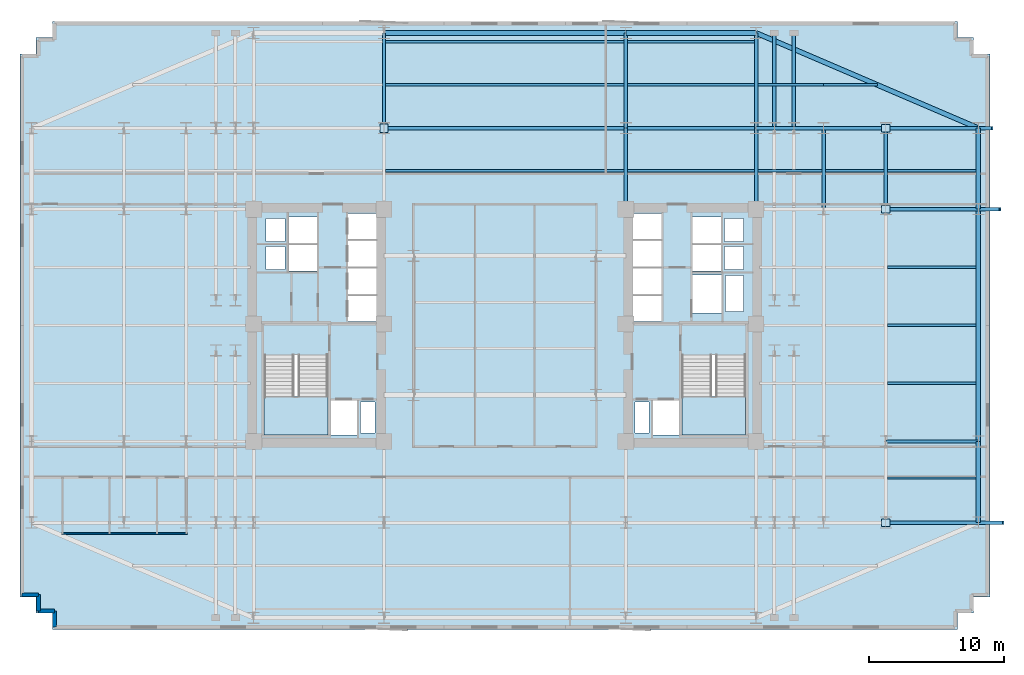
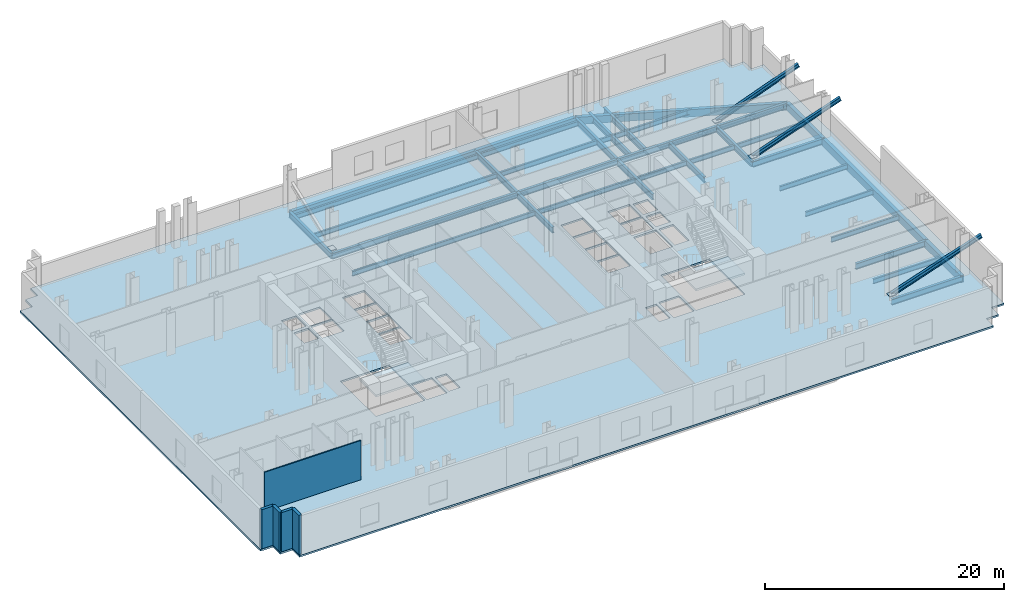
# One storey, part 3 of 9: 38 beams, 5 walls, 4 plates, 3 members, 3 slabs, 2 elements without a shape of their own.
"""IFC4 building model written with IfcOpenShell, lengths in metres."""

from ifc_helpers import new_model, si_unit, direction, frame, frame_2d, origin, origin_2d, place, context, subcontext, project, spatial, polyline, rectangle, i_section, outline, extrude, material, layer, layer_set, material_profile, profile_set, type_object, element, aggregate, save


model = new_model("IFC4")

# Units and contexts
model_context = context("Model", 3, precision=1e-05, world=origin(), true_north=direction((0.0, 1.0)))
body_context = subcontext(model_context, "Body", "Model", "MODEL_VIEW")
ifc_project = project(units=[si_unit("LENGTHUNIT", "METRE"), si_unit("AREAUNIT", "SQUARE_METRE"), si_unit("VOLUMEUNIT", "CUBIC_METRE"), si_unit("PLANEANGLEUNIT", "RADIAN"), si_unit("MASSUNIT", "GRAM", prefix="KILO")], contexts=[model_context])

# Site, building, storey
site_placement = place(None, origin())
site = spatial("IfcSite", under=ifc_project, at=site_placement, CompositionType="ELEMENT")
building_placement = place(site_placement, origin())
building = spatial("IfcBuilding", under=site, at=building_placement, Name="Velakula Bourse", CompositionType="ELEMENT")
storey_placement = place(building_placement, frame((0.0, 0.0, 65.699951171875)))
storey = spatial("IfcBuildingStorey", under=building, at=storey_placement, Name="L17", CompositionType="ELEMENT", Elevation=65.699951171875)

# Beams
ifc_material_1 = material(Name="Steel IS 2062 Grade 350 (E350)", Category="steel")
ifc_material_profile_1 = material_profile(ifc_material_1, i_section(OverallWidth=0.25, OverallDepth=0.60009765625, WebThickness=0.01171875, FlangeThickness=0.023681640625, at=origin_2d()), Name="Steel IS 2062 Grade 350 (E350)")
ifc_profile_set_1 = profile_set([ifc_material_profile_1], Name="Steel IS 2062 Grade 350 (E350)")
beam_type_1 = type_object("IfcBeamType", Name="BM-GRD-600H", PredefinedType="BEAM", material=ifc_profile_set_1)
for number, where, z_axis, x_axis, name in (
    (1, (8.949951171875, 8.60009765625, -0.47998046875), (0.0, 1.0, 0.0), (-1.0, 0.0, 0.0), "L17 Fulcrum Grid Girder FLC-ECN"),
    (2, (18.60009765625, 8.60009765625, -0.47998046875), (0.0, 1.0, 0.0), (-1.0, 0.0, 0.0), "L17 Fulcrum Grid Girder FLC-EN"),
):
    element("IfcBeam", number, at=place(storey_placement, frame(where, z_axis=z_axis, x_axis=x_axis)), inside=storey, type_object=beam_type_1, Name=name, PredefinedType="BEAM", context=body_context, shape_type="SweptSolid", body=[
        extrude(i_section(OverallWidth=0.25, OverallDepth=0.60009765625, WebThickness=0.01171875, FlangeThickness=0.023681640625, at=origin_2d()), origin(), (0.0, 0.0, 1.0), 6.0),
    ])
beam_1_placement = place(storey_placement, frame((-8.949951171875, 14.60009765625, -0.47998046875), z_axis=(1.0, 0.0, 0.0), x_axis=(0.0, 1.0, 0.0)))
element("IfcBeam", 3, at=beam_1_placement, inside=storey, type_object=beam_type_1, Name="L17 Fulcrum Grid Girder FLC-N2", PredefinedType="BEAM", context=body_context, shape_type="SweptSolid", body=[
    extrude(i_section(OverallWidth=0.25, OverallDepth=0.60009765625, WebThickness=0.01171875, FlangeThickness=0.023681640625, at=origin_2d()), origin(), (0.0, 0.0, 1.0), 17.89990234375),
])
beam_2_placement = place(storey_placement, frame((8.949951171875, 14.60009765625, -0.47998046875), z_axis=(1.0, 0.0, 0.0), x_axis=(0.0, 1.0, 0.0)))
element("IfcBeam", 4, at=beam_2_placement, inside=storey, type_object=beam_type_1, Name="L17 Fulcrum Grid Girder FLC-N3", PredefinedType="BEAM", context=body_context, shape_type="SweptSolid", body=[
    extrude(i_section(OverallWidth=0.25, OverallDepth=0.60009765625, WebThickness=0.01171875, FlangeThickness=0.023681640625, at=origin_2d()), origin(), (0.0, 0.0, 1.0), 9.650146484375),
])
beam_3_placement = place(storey_placement, frame((18.60009765625, 14.60009765625, -0.47998046875), z_axis=(1.0, 0.0, 0.0), x_axis=(0.0, 1.0, 0.0)))
element("IfcBeam", 5, at=beam_3_placement, inside=storey, type_object=beam_type_1, Name="L17 Fulcrum Grid Girder MWG-EN2", PredefinedType="BEAM", context=body_context, shape_type="SweptSolid", body=[
    extrude(i_section(OverallWidth=0.25, OverallDepth=0.60009765625, WebThickness=0.01171875, FlangeThickness=0.023681640625, at=origin_2d()), origin(), (0.0, 0.0, 1.0), 5.0),
])
beam_4_placement = place(storey_placement, frame((23.60009765625, 8.60009765625, -0.47998046875), z_axis=(0.0, 1.0, 0.0), x_axis=(-1.0, 0.0, 0.0)))
element("IfcBeam", 6, at=beam_4_placement, inside=storey, type_object=beam_type_1, Name="L17 Fulcrum Grid Girder MWG-ENS3", PredefinedType="BEAM", context=body_context, shape_type="SweptSolid", body=[
    extrude(i_section(OverallWidth=0.25, OverallDepth=0.60009765625, WebThickness=0.01171875, FlangeThickness=0.023681640625, at=origin_2d()), origin(), (0.0, 0.0, 1.0), 6.0),
])
beam_5_placement = place(storey_placement, frame((23.60009765625, 14.60009765625, -0.47998046875), z_axis=(1.0, 0.0, 0.0), x_axis=(0.0, 1.0, 0.0)))
element("IfcBeam", 7, at=beam_5_placement, inside=storey, type_object=beam_type_1, Name="L17 Fulcrum Grid Girder WNG-EN2", PredefinedType="BEAM", context=body_context, shape_type="SweptSolid", body=[
    extrude(i_section(OverallWidth=0.25, OverallDepth=0.60009765625, WebThickness=0.01171875, FlangeThickness=0.023681640625, at=origin_2d()), origin(), (0.0, 0.0, 1.0), 4.599853515625),
])
beam_6_placement = place(storey_placement, frame((28.199951171875, 8.60009765625, -0.47998046875), z_axis=(0.0, 1.0, 0.0), x_axis=(-1.0, 0.0, 0.0)))
element("IfcBeam", 8, at=beam_6_placement, inside=storey, type_object=beam_type_1, Name="L17 Fulcrum Grid Girder WNG-ENS3", PredefinedType="BEAM", context=body_context, shape_type="SweptSolid", body=[
    extrude(i_section(OverallWidth=0.25, OverallDepth=0.60009765625, WebThickness=0.01171875, FlangeThickness=0.023681640625, at=origin_2d()), origin(), (0.0, 0.0, 1.0), 6.0),
])
for number, where, z_axis, x_axis, name in (
    (9, (-8.949951171875, 14.60009765625, -0.47998046875), (0.0, 1.0, 0.0), (-1.0, 0.0, 0.0), "L17 Perimeter Tie Girder N2"),
    (10, (8.949951171875, 14.60009765625, -0.47998046875), (0.0, 1.0, 0.0), (-1.0, 0.0, 0.0), "L17 Perimeter Tie Girder N3"),
    (11, (18.60009765625, 14.60009765625, -0.47998046875), (0.0, 1.0, 0.0), (-1.0, 0.0, 0.0), "L17 Perimeter Tie Girder N4"),
):
    element("IfcBeam", number, at=place(storey_placement, frame(where, z_axis=z_axis, x_axis=x_axis)), inside=storey, type_object=beam_type_1, Name=name, PredefinedType="BEAM", context=body_context, shape_type="SweptSolid", body=[
        extrude(i_section(OverallWidth=0.25, OverallDepth=0.60009765625, WebThickness=0.01171875, FlangeThickness=0.023681640625, at=origin_2d()), origin(), (0.0, 0.0, 1.0), 7.0498046875),
    ])
for number, where, z_axis, x_axis, name in (
    (12, (28.199951171875, -14.60009765625, -0.47998046875), (1.0, 0.0, 0.0), (0.0, 1.0, 0.0), "L17 Perimeter Tie Girder E1"),
    (13, (28.199951171875, -8.60009765625, -0.47998046875), (1.0, 0.0, 0.0), (0.0, 1.0, 0.0), "L17 Perimeter Tie Girder E2"),
    (14, (28.199951171875, 8.60009765625, -0.47998046875), (1.0, 0.0, 0.0), (0.0, 1.0, 0.0), "L17 Perimeter Tie Girder E3"),
    (15, (28.199951171875, 14.60009765625, -0.47998046875), (1.0, 0.0, 0.0), (0.0, 1.0, 0.0), "L17 Perimeter Tie Girder E4"),
):
    element("IfcBeam", number, at=place(storey_placement, frame(where, z_axis=z_axis, x_axis=x_axis)), inside=storey, type_object=beam_type_1, Name=name, PredefinedType="BEAM", context=body_context, shape_type="SweptSolid", body=[
        extrude(i_section(OverallWidth=0.25, OverallDepth=0.60009765625, WebThickness=0.01171875, FlangeThickness=0.023681640625, at=origin_2d()), origin(), (0.0, 0.0, 1.0), 6.85009765625),
    ])
for number, where, z_axis, x_axis, name in (
    (16, (19.949951171875, 14.60009765625, -0.47998046875), (0.0, 1.0, 0.0), (-1.0, 0.0, 0.0), "L17 Perimeter Tie Girder P07"),
    (17, (21.39990234375, 14.60009765625, -0.47998046875), (0.0, 1.0, 0.0), (-1.0, 0.0, 0.0), "L17 Perimeter Tie Girder P08"),
):
    element("IfcBeam", number, at=place(storey_placement, frame(where, z_axis=z_axis, x_axis=x_axis)), inside=storey, type_object=beam_type_1, Name=name, PredefinedType="BEAM", context=body_context, shape_type="SweptSolid", body=[
        extrude(i_section(OverallWidth=0.25, OverallDepth=0.60009765625, WebThickness=0.01171875, FlangeThickness=0.023681640625, at=origin_2d()), origin(), (0.0, 0.0, 1.0), 7.0498046875),
    ])

# Members
ifc_material_profile_2 = material_profile(ifc_material_1, i_section(OverallWidth=0.25, OverallDepth=0.39990234375, WebThickness=0.010498046875, FlangeThickness=0.0126953125, at=origin_2d()), Name="Steel IS 2062 Grade 350 (E350)")
ifc_profile_set_2 = profile_set([ifc_material_profile_2], Name="Steel IS 2062 Grade 350 (E350)")
member_type = type_object("IfcMemberType", Name="BR-TRF-400", PredefinedType="BRACE", material=ifc_profile_set_2)
member_1_placement = place(storey_placement, frame((28.199951171875, -14.60009765625, 0.300048828125), z_axis=(0.946241319757, 0.0, 0.323461535247), x_axis=(0.0, 1.0, 0.0)))
element("IfcMember", 18, at=member_1_placement, inside=storey, type_object=member_type, Name="L17 Inclined Cantilever Transfer Raking Strut E1", PredefinedType="BRACE", context=body_context, shape_type="SweptSolid", body=[
    extrude(i_section(OverallWidth=0.25, OverallDepth=0.39990234375, WebThickness=0.010498046875, FlangeThickness=0.0126953125, at=origin_2d()), origin(), (0.0, 0.0, 1.0), 9.181884765625),
])
member_2_placement = place(storey_placement, frame((28.199951171875, 8.60009765625, 0.300048828125), z_axis=(0.943590284744, 0.0, 0.331115349292), x_axis=(0.0, 1.0, 0.0)))
element("IfcMember", 19, at=member_2_placement, inside=storey, type_object=member_type, Name="L17 Inclined Cantilever Transfer Raking Strut E3", PredefinedType="BRACE", context=body_context, shape_type="SweptSolid", body=[
    extrude(i_section(OverallWidth=0.25, OverallDepth=0.39990234375, WebThickness=0.010498046875, FlangeThickness=0.0126953125, at=origin_2d()), origin(), (0.0, 0.0, 1.0), 8.969482421875),
])
member_3_placement = place(storey_placement, frame((28.199951171875, 14.60009765625, 0.300048828125), z_axis=(0.935831744919, 0.0, 0.35244708142), x_axis=(0.0, 1.0, 0.0)))
element("IfcMember", 20, at=member_3_placement, inside=storey, type_object=member_type, Name="L17 Inclined Cantilever Transfer Raking Strut E4", PredefinedType="BRACE", context=body_context, shape_type="SweptSolid", body=[
    extrude(i_section(OverallWidth=0.25, OverallDepth=0.39990234375, WebThickness=0.010498046875, FlangeThickness=0.0126953125, at=origin_2d()), origin(), (0.0, 0.0, 1.0), 8.4267578125),
])

# Beams
ifc_material_profile_3 = material_profile(ifc_material_1, i_section(OverallWidth=0.179931640625, OverallDepth=0.5, WebThickness=0.01025390625, FlangeThickness=0.01708984375, at=origin_2d()), Name="Steel IS 2062 Grade 350 (E350)")
ifc_profile_set_3 = profile_set([ifc_material_profile_3], Name="Steel IS 2062 Grade 350 (E350)")
beam_type_2 = type_object("IfcBeamType", Name="JST-TWR-500", PredefinedType="JOIST", material=ifc_profile_set_3)
beam_7_placement = place(storey_placement, frame((28.324951171875, -11.300048828125, -0.429931640625), z_axis=(1.0, 0.0, 0.0), x_axis=(0.0, 1.0, 0.0)))
element("IfcBeam", 21, at=beam_7_placement, inside=storey, type_object=beam_type_2, Name="L17 Trading Floor Composite Joist 19", PredefinedType="JOIST", context=body_context, shape_type="SweptSolid", body=[
    extrude(i_section(OverallWidth=0.179931640625, OverallDepth=0.5, WebThickness=0.01025390625, FlangeThickness=0.01708984375, at=origin_2d()), origin(), (0.0, 0.0, 1.0), 6.550048828125),
])
beam_8_placement = place(storey_placement, frame((-8.824951171875, 11.449951171875, -0.429931640625), z_axis=(1.0, 0.0, 0.0), x_axis=(0.0, 1.0, 0.0)))
element("IfcBeam", 22, at=beam_8_placement, inside=storey, type_object=beam_type_2, Name="L17 Trading Floor Composite Joist 24", PredefinedType="JOIST", context=body_context, shape_type="SweptSolid", body=[
    extrude(i_section(OverallWidth=0.179931640625, OverallDepth=0.5, WebThickness=0.01025390625, FlangeThickness=0.01708984375, at=origin_2d()), origin(), (0.0, 0.0, 1.0), 17.64990234375),
])
beam_9_placement = place(storey_placement, frame((9.074951171875, 11.449951171875, -0.429931640625), z_axis=(1.0, 0.0, 0.0), x_axis=(0.0, 1.0, 0.0)))
element("IfcBeam", 23, at=beam_9_placement, inside=storey, type_object=beam_type_2, Name="L17 Trading Floor Composite Joist 25", PredefinedType="JOIST", context=body_context, shape_type="SweptSolid", body=[
    extrude(i_section(OverallWidth=0.179931640625, OverallDepth=0.5, WebThickness=0.01025390625, FlangeThickness=0.01708984375, at=origin_2d()), origin(), (0.0, 0.0, 1.0), 9.400146484375),
])
beam_10_placement = place(storey_placement, frame((18.72509765625, 11.449951171875, -0.429931640625), z_axis=(1.0, 0.0, 0.0), x_axis=(0.0, 1.0, 0.0)))
element("IfcBeam", 24, at=beam_10_placement, inside=storey, type_object=beam_type_2, Name="L17 Trading Floor Composite Joist 26", PredefinedType="JOIST", context=body_context, shape_type="SweptSolid", body=[
    extrude(i_section(OverallWidth=0.179931640625, OverallDepth=0.5, WebThickness=0.01025390625, FlangeThickness=0.01708984375, at=origin_2d()), origin(), (0.0, 0.0, 1.0), 4.75),
])
beam_11_placement = place(storey_placement, frame((23.72509765625, 11.449951171875, -0.429931640625), z_axis=(1.0, 0.0, 0.0), x_axis=(0.0, 1.0, 0.0)))
element("IfcBeam", 25, at=beam_11_placement, inside=storey, type_object=beam_type_2, Name="L17 Trading Floor Composite Joist 27", PredefinedType="JOIST", context=body_context, shape_type="SweptSolid", body=[
    extrude(i_section(OverallWidth=0.179931640625, OverallDepth=0.5, WebThickness=0.01025390625, FlangeThickness=0.01708984375, at=origin_2d()), origin(), (0.0, 0.0, 1.0), 4.349853515625),
])
beam_12_placement = place(storey_placement, frame((28.324951171875, 11.449951171875, -0.429931640625), z_axis=(1.0, 0.0, 0.0), x_axis=(0.0, 1.0, 0.0)))
element("IfcBeam", 26, at=beam_12_placement, inside=storey, type_object=beam_type_2, Name="L17 Trading Floor Composite Joist 28", PredefinedType="JOIST", context=body_context, shape_type="SweptSolid", body=[
    extrude(i_section(OverallWidth=0.179931640625, OverallDepth=0.5, WebThickness=0.01025390625, FlangeThickness=0.01708984375, at=origin_2d()), origin(), (0.0, 0.0, 1.0), 6.550048828125),
])
beam_13_placement = place(storey_placement, frame((-8.824951171875, 17.800048828125, -0.429931640625), z_axis=(1.0, 0.0, 0.0), x_axis=(0.0, 1.0, 0.0)))
element("IfcBeam", 27, at=beam_13_placement, inside=storey, type_object=beam_type_2, Name="L17 Trading Floor Composite Joist 32", PredefinedType="JOIST", context=body_context, shape_type="SweptSolid", body=[
    extrude(i_section(OverallWidth=0.179931640625, OverallDepth=0.5, WebThickness=0.01025390625, FlangeThickness=0.01708984375, at=origin_2d()), origin(), (0.0, 0.0, 1.0), 17.64990234375),
])
beam_14_placement = place(storey_placement, frame((9.074951171875, 17.800048828125, -0.429931640625), z_axis=(1.0, 0.0, 0.0), x_axis=(0.0, 1.0, 0.0)))
element("IfcBeam", 28, at=beam_14_placement, inside=storey, type_object=beam_type_2, Name="L17 Trading Floor Composite Joist 33", PredefinedType="JOIST", context=body_context, shape_type="SweptSolid", body=[
    extrude(i_section(OverallWidth=0.179931640625, OverallDepth=0.5, WebThickness=0.01025390625, FlangeThickness=0.01708984375, at=origin_2d()), origin(), (0.0, 0.0, 1.0), 9.400146484375),
])
beam_15_placement = place(storey_placement, frame((18.72509765625, 17.800048828125, -0.429931640625), z_axis=(1.0, 0.0, 0.0), x_axis=(0.0, 1.0, 0.0)))
element("IfcBeam", 29, at=beam_15_placement, inside=storey, type_object=beam_type_2, Name="L17 Trading Floor Composite Joist 34", PredefinedType="JOIST", context=body_context, shape_type="SweptSolid", body=[
    extrude(i_section(OverallWidth=0.179931640625, OverallDepth=0.5, WebThickness=0.01025390625, FlangeThickness=0.01708984375, at=origin_2d()), origin(), (0.0, 0.0, 1.0), 4.875),
])
beam_16_placement = place(storey_placement, frame((23.60009765625, 17.800048828125, -0.429931640625), z_axis=(1.0, 0.0, 0.0), x_axis=(0.0, 1.0, 0.0)))
element("IfcBeam", 30, at=beam_16_placement, inside=storey, type_object=beam_type_2, Name="L17 Trading Floor Composite Joist 35", PredefinedType="JOIST", context=body_context, shape_type="SweptSolid", body=[
    extrude(i_section(OverallWidth=0.179931640625, OverallDepth=0.5, WebThickness=0.01025390625, FlangeThickness=0.01708984375, at=origin_2d()), origin(), (0.0, 0.0, 1.0), 3.983154296875),
])
beam_17_placement = place(storey_placement, frame((-8.824951171875, 21.0, -0.429931640625), z_axis=(1.0, 0.0, 0.0), x_axis=(0.0, 1.0, 0.0)))
element("IfcBeam", 31, at=beam_17_placement, inside=storey, type_object=beam_type_2, Name="L17 Trading Floor Composite Joist 37", PredefinedType="JOIST", context=body_context, shape_type="SweptSolid", body=[
    extrude(i_section(OverallWidth=0.179931640625, OverallDepth=0.5, WebThickness=0.01025390625, FlangeThickness=0.01708984375, at=origin_2d()), origin(), (0.0, 0.0, 1.0), 17.64990234375),
])
beam_18_placement = place(storey_placement, frame((9.074951171875, 21.0, -0.429931640625), z_axis=(1.0, 0.0, 0.0), x_axis=(0.0, 1.0, 0.0)))
element("IfcBeam", 32, at=beam_18_placement, inside=storey, type_object=beam_type_2, Name="L17 Trading Floor Composite Joist 38", PredefinedType="JOIST", context=body_context, shape_type="SweptSolid", body=[
    extrude(i_section(OverallWidth=0.179931640625, OverallDepth=0.5, WebThickness=0.01025390625, FlangeThickness=0.01708984375, at=origin_2d()), origin(), (0.0, 0.0, 1.0), 9.400146484375),
])
for number, where, z_axis, x_axis, name in (
    (33, (28.324951171875, -4.300048828125, -0.429931640625), (1.0, 0.0, 0.0), (0.0, 1.0, 0.0), "L17 Trading Floor Composite Joist 46"),
    (34, (28.324951171875, 0.0, -0.429931640625), (1.0, 0.0, 0.0), (0.0, 1.0, 0.0), "L17 Trading Floor Composite Joist 52"),
    (35, (28.324951171875, 4.300048828125, -0.429931640625), (1.0, 0.0, 0.0), (0.0, 1.0, 0.0), "L17 Trading Floor Composite Joist 58"),
):
    element("IfcBeam", number, at=place(storey_placement, frame(where, z_axis=z_axis, x_axis=x_axis)), inside=storey, type_object=beam_type_2, Name=name, PredefinedType="JOIST", context=body_context, shape_type="SweptSolid", body=[
        extrude(i_section(OverallWidth=0.179931640625, OverallDepth=0.5, WebThickness=0.01025390625, FlangeThickness=0.01708984375, at=origin_2d()), origin(), (0.0, 0.0, 1.0), 6.550048828125),
    ])
ifc_material_2 = material(Name="Precast concrete M45 (fck 45 MPa)", Category="concrete")
ifc_material_profile_4 = material_profile(ifc_material_2, rectangle(XDim=0.35009765625, YDim=0.75, at=origin_2d()), Name="Precast concrete M45 (fck 45 MPa)")
ifc_profile_set_4 = profile_set([ifc_material_profile_4], Name="Precast concrete M45 (fck 45 MPa)")
beam_type_3 = type_object("IfcBeamType", Name="SPN-BRICK-750", PredefinedType="SPANDREL", material=ifc_profile_set_4)
beam_19_placement = place(storey_placement, frame((-8.949951171875, 21.64990234375, -0.554931640625), z_axis=(1.0, 0.0, 0.0), x_axis=(0.0, 1.0, 0.0)))
element("IfcBeam", 36, at=beam_19_placement, inside=storey, type_object=beam_type_3, Name="L17 Brick-Faced Precast Spandrel N2-N3", PredefinedType="SPANDREL", context=body_context, shape_type="SweptSolid", body=[
    extrude(rectangle(XDim=0.35009765625, YDim=0.75, at=origin_2d()), origin(), (0.0, 0.0, 1.0), 17.89990234375),
])
beam_20_placement = place(storey_placement, frame((8.949951171875, 21.64990234375, -0.554931640625), z_axis=(1.0, 0.0, 0.0), x_axis=(0.0, 1.0, 0.0)))
element("IfcBeam", 37, at=beam_20_placement, inside=storey, type_object=beam_type_3, Name="L17 Brick-Faced Precast Spandrel N3-N4", PredefinedType="SPANDREL", context=body_context, shape_type="SweptSolid", body=[
    extrude(rectangle(XDim=0.35009765625, YDim=0.75, at=origin_2d()), origin(), (0.0, 0.0, 1.0), 9.650146484375),
])
beam_21_placement = place(storey_placement, frame((35.050048828125, -14.60009765625, -0.554931640625), z_axis=(0.0, 1.0, 0.0), x_axis=(-1.0, 0.0, 0.0)))
element("IfcBeam", 38, at=beam_21_placement, inside=storey, type_object=beam_type_3, Name="L17 Brick-Faced Precast Spandrel E1-E2", PredefinedType="SPANDREL", context=body_context, shape_type="SweptSolid", body=[
    extrude(rectangle(XDim=0.35009765625, YDim=0.75, at=origin_2d()), origin(), (0.0, 0.0, 1.0), 6.0),
])
beam_22_placement = place(storey_placement, frame((35.050048828125, -8.60009765625, -0.554931640625), z_axis=(0.0, 1.0, 0.0), x_axis=(-1.0, 0.0, 0.0)))
element("IfcBeam", 39, at=beam_22_placement, inside=storey, type_object=beam_type_3, Name="L17 Brick-Faced Precast Spandrel E2-E3", PredefinedType="SPANDREL", context=body_context, shape_type="SweptSolid", body=[
    extrude(rectangle(XDim=0.35009765625, YDim=0.75, at=origin_2d()), origin(), (0.0, 0.0, 1.0), 17.2001953125),
])
beam_23_placement = place(storey_placement, frame((35.050048828125, 8.60009765625, -0.554931640625), z_axis=(0.0, 1.0, 0.0), x_axis=(-1.0, 0.0, 0.0)))
element("IfcBeam", 40, at=beam_23_placement, inside=storey, type_object=beam_type_3, Name="L17 Brick-Faced Precast Spandrel E3-E4", PredefinedType="SPANDREL", context=body_context, shape_type="SweptSolid", body=[
    extrude(rectangle(XDim=0.35009765625, YDim=0.75, at=origin_2d()), origin(), (0.0, 0.0, 1.0), 6.0),
])
beam_24_placement = place(storey_placement, frame((35.050048828125, 14.60009765625, -0.554931640625), z_axis=(-0.919148557947, 0.393911066642, 0.0), x_axis=(-0.393911066642, -0.919148557947, 0.0)))
element("IfcBeam", 41, at=beam_24_placement, inside=storey, type_object=beam_type_3, Name="L17 Brick-Faced Precast Spandrel E4-N4", PredefinedType="SPANDREL", context=body_context, shape_type="SweptSolid", body=[
    extrude(rectangle(XDim=0.35009765625, YDim=0.75, at=origin_2d()), origin(), (0.0, 0.0, 1.0), 17.89697265625),
])

# Plates
ifc_layer_1 = layer(ifc_material_1, 0.0400390625, Name="Steel IS 2062 Grade 350 (E350)", Category="steel")
ifc_layer_set_1 = layer_set([ifc_layer_1], Name="Steel IS 2062 Grade 350 (E350)")
plate_type = type_object("IfcPlateType", Name="PLT-NODE-TRF", PredefinedType="USERDEFINED", material=ifc_layer_set_1)
for number, where, z_axis, x_axis, name in (
    (42, (-8.949951171875, 14.60009765625, 0.280029296875), (0.0, 0.0, 1.0), (0.0, 1.0, 0.0), "L17 Transfer Raking Strut Foot Gusset N2"),
    (43, (28.199951171875, -14.60009765625, 0.280029296875), (0.0, 0.0, 1.0), (1.0, 0.0, 0.0), "L17 Transfer Raking Strut Foot Gusset E1"),
    (44, (28.199951171875, 8.60009765625, 0.280029296875), (0.0, 0.0, 1.0), (1.0, 0.0, 0.0), "L17 Transfer Raking Strut Foot Gusset E3"),
    (45, (28.199951171875, 14.60009765625, 0.280029296875), (0.0, 0.0, 1.0), (1.0, 0.0, 0.0), "L17 Transfer Raking Strut Foot Gusset E4"),
):
    element("IfcPlate", number, at=place(storey_placement, frame(where, z_axis=z_axis, x_axis=x_axis)), inside=storey, type_object=plate_type, Name=name, ObjectType="GUSSET PLATE", PredefinedType="USERDEFINED", context=body_context, shape_type="SweptSolid", body=[
        extrude(rectangle(XDim=0.639892578125, YDim=0.56005859375, at=origin_2d()), origin(), (0.0, 0.0, 1.0), 0.0400390625),
    ])

# Stair, slab
ifc_material_3 = material(Name="Concrete M45 (fck 45 MPa)", Category="concrete")
stair_type = type_object("IfcStairType", Name="STR-DOG-435", PredefinedType="HALF_TURN_STAIR", material=ifc_material_3)
stair_1_placement = place(storey_placement, origin())
stair_1 = element("IfcStair", 46, at=stair_1_placement, inside=storey, type_object=stair_type, Name="L17 West Core Exit Stair ST-W1", PredefinedType="HALF_TURN_STAIR")
ifc_layer_2 = layer(ifc_material_3, 0.199951171875, Name="Concrete M45 (fck 45 MPa)", Category="concrete")
ifc_layer_set_2 = layer_set([ifc_layer_2], Name="Concrete M45 (fck 45 MPa)")
slab_type_1 = type_object("IfcSlabType", Name="SLB-STAIR-LND-200", PredefinedType="LANDING", material=ifc_layer_set_2)
slab_1_placement = place(storey_placement, frame((0.0, 0.0, 1.949951171875)))
slab_1 = element("IfcSlab", 47, at=slab_1_placement, type_object=slab_type_1, Name="ST-W1 landing 1", PredefinedType="LANDING", context=body_context, shape_type="SweptSolid", body=[
    extrude(outline(polyline([(-17.820068359375, -5.280029296875), (-17.820068359375, -8.10009765625), (-13.10009765625, -8.10009765625), (-13.10009765625, -5.280029296875), (-17.820068359375, -5.280029296875)])), origin(), (0.0, 0.0, 1.0), 0.2001953125),
])
aggregate(stair_1, [slab_1])

stair_2_placement = place(storey_placement, origin())
stair_2 = element("IfcStair", 48, at=stair_2_placement, inside=storey, type_object=stair_type, Name="L17 East Core Exit Stair ST-E1", PredefinedType="HALF_TURN_STAIR")
slab_2_placement = place(storey_placement, frame((0.0, 0.0, 1.949951171875)))
slab_2 = element("IfcSlab", 49, at=slab_2_placement, type_object=slab_type_1, Name="ST-E1 landing 1", PredefinedType="LANDING", context=body_context, shape_type="SweptSolid", body=[
    extrude(outline(polyline([(13.10009765625, -5.280029296875), (13.10009765625, -8.10009765625), (17.820068359375, -8.10009765625), (17.820068359375, -5.280029296875), (13.10009765625, -5.280029296875)])), origin(), (0.0, 0.0, 1.0), 0.2001953125),
])
aggregate(stair_2, [slab_2])

# Slab
ifc_material_4 = material(Name="Concrete M50 (fck 50 MPa)", Category="concrete")
ifc_layer_3 = layer(ifc_material_4, 0.179931640625, Name="Concrete M50 (fck 50 MPa)", Category="concrete")
ifc_layer_set_3 = layer_set([ifc_layer_3], Name="Concrete M50 (fck 50 MPa)")
slab_type_2 = type_object("IfcSlabType", Name="SLB-TWR-180", PredefinedType="FLOOR", material=ifc_layer_set_3)
slab_3_placement = place(storey_placement, frame((0.0, 0.0, -0.179931640625)))
element("IfcSlab", 50, at=slab_3_placement, inside=storey, type_object=slab_type_2, Name="L17 Suspended Structural Floor Slab", PredefinedType="FLOOR", context=body_context, shape_type="SweptSolid", body=[
    extrude(outline(polyline([(-33.5, -22.5), (33.5, -22.5), (33.5, -21.300048828125), (34.699951171875, -21.300048828125), (34.699951171875, -20.10009765625), (35.89990234375, -20.10009765625), (35.89990234375, 20.10009765625), (34.699951171875, 20.10009765625), (34.699951171875, 21.300048828125), (33.5, 21.300048828125), (33.5, 22.5), (-33.5, 22.5), (-33.5, 21.300048828125), (-34.699951171875, 21.300048828125), (-34.699951171875, 20.10009765625), (-35.89990234375, 20.10009765625), (-35.89990234375, -20.10009765625), (-34.699951171875, -20.10009765625), (-34.699951171875, -21.300048828125), (-33.5, -21.300048828125), (-33.5, -22.5)]), holes=[polyline([(-17.820068359375, -8.10009765625), (-13.10009765625, -8.10009765625), (-13.10009765625, -2.199951171875), (-17.820068359375, -2.199951171875), (-17.820068359375, -8.10009765625)]), polyline([(13.10009765625, -8.10009765625), (17.820068359375, -8.10009765625), (17.820068359375, -2.199951171875), (13.10009765625, -2.199951171875), (13.10009765625, -8.10009765625)]), polyline([(-12.89990234375, -8.10009765625), (-10.949951171875, -8.10009765625), (-10.949951171875, -5.550048828125), (-12.89990234375, -5.550048828125), (-12.89990234375, -8.10009765625)]), polyline([(10.949951171875, -8.10009765625), (12.89990234375, -8.10009765625), (12.89990234375, -5.550048828125), (10.949951171875, -5.550048828125), (10.949951171875, -8.10009765625)]), polyline([(13.89990234375, 0.919921875), (16.050048828125, 0.919921875), (16.050048828125, 3.719970703125), (13.89990234375, 3.719970703125), (13.89990234375, 0.919921875)]), polyline([(-10.679931640625, -7.97998046875), (-9.6201171875, -7.97998046875), (-9.6201171875, -5.669921875), (-10.679931640625, -5.669921875), (-10.679931640625, -7.97998046875)]), polyline([(-17.679931640625, 4.139892578125), (-16.27001953125, 4.139892578125), (-16.27001953125, 5.85009765625), (-17.679931640625, 5.85009765625), (-17.679931640625, 4.139892578125)]), polyline([(-17.679931640625, 6.2099609375), (-16.27001953125, 6.2099609375), (-16.27001953125, 7.919921875), (-17.679931640625, 7.919921875), (-17.679931640625, 6.2099609375)]), polyline([(9.6201171875, -7.97998046875), (10.679931640625, -7.97998046875), (10.679931640625, -5.669921875), (9.6201171875, -5.669921875), (9.6201171875, -7.97998046875)]), polyline([(16.27001953125, 4.139892578125), (17.679931640625, 4.139892578125), (17.679931640625, 5.85009765625), (16.27001953125, 5.85009765625), (16.27001953125, 4.139892578125)]), polyline([(16.27001953125, 6.2099609375), (17.679931640625, 6.2099609375), (17.679931640625, 7.919921875), (16.27001953125, 7.919921875), (16.27001953125, 6.2099609375)]), polyline([(16.320068359375, 1.0400390625), (17.679931640625, 1.0400390625), (17.679931640625, 3.699951171875), (16.320068359375, 3.699951171875), (16.320068359375, 1.0400390625)]), polyline([(-11.60009765625, 0.280029296875), (-9.5, 0.280029296875), (-9.5, 2.199951171875), (-11.60009765625, 2.199951171875), (-11.60009765625, 0.280029296875)]), polyline([(-11.60009765625, 2.31005859375), (-9.5, 2.31005859375), (-9.5, 4.22998046875), (-11.60009765625, 4.22998046875), (-11.60009765625, 2.31005859375)]), polyline([(-11.60009765625, 4.340087890625), (-9.5, 4.340087890625), (-9.5, 6.260009765625), (-11.60009765625, 6.260009765625), (-11.60009765625, 4.340087890625)]), polyline([(-11.60009765625, 6.3701171875), (-9.5, 6.3701171875), (-9.5, 8.2900390625), (-11.60009765625, 8.2900390625), (-11.60009765625, 6.3701171875)]), polyline([(9.5, 0.280029296875), (11.60009765625, 0.280029296875), (11.60009765625, 2.199951171875), (9.5, 2.199951171875), (9.5, 0.280029296875)]), polyline([(9.5, 2.31005859375), (11.60009765625, 2.31005859375), (11.60009765625, 4.22998046875), (9.5, 4.22998046875), (9.5, 2.31005859375)]), polyline([(9.5, 4.340087890625), (11.60009765625, 4.340087890625), (11.60009765625, 6.260009765625), (9.5, 6.260009765625), (9.5, 4.340087890625)]), polyline([(9.5, 6.3701171875), (11.60009765625, 6.3701171875), (11.60009765625, 8.2900390625), (9.5, 8.2900390625), (9.5, 6.3701171875)]), polyline([(-16.0, 4.02001953125), (-13.89990234375, 4.02001953125), (-13.89990234375, 5.969970703125), (-16.0, 5.969970703125), (-16.0, 4.02001953125)]), polyline([(-16.0, 6.090087890625), (-13.89990234375, 6.090087890625), (-13.89990234375, 8.0400390625), (-16.0, 8.0400390625), (-16.0, 6.090087890625)]), polyline([(13.89990234375, 4.02001953125), (16.0, 4.02001953125), (16.0, 5.969970703125), (13.89990234375, 5.969970703125), (13.89990234375, 4.02001953125)]), polyline([(13.89990234375, 6.090087890625), (16.0, 6.090087890625), (16.0, 8.0400390625), (13.89990234375, 8.0400390625), (13.89990234375, 6.090087890625)])]), origin(), (0.0, 0.0, 1.0), 0.179931640625),
])

# Walls
ifc_material_5 = material(Name="Red kilned clay facing brick masonry", Category="masonry")
ifc_layer_4 = layer(ifc_material_5, 0.280029296875, Name="Red kilned clay facing brick masonry", Category="masonry")
ifc_layer_set_4 = layer_set([ifc_layer_4], Name="Red kilned clay facing brick masonry")
wall_type_1 = type_object("IfcWallType", Name="WL-EXT-BRK-280", PredefinedType="STANDARD", material=ifc_layer_set_4)
for number, where, z_axis, x_axis, name in (
    (51, (-35.739990234375, -19.93994140625, 0.0), (0.0, 0.0, 1.0), (1.0, 0.0, 0.0), "L17 Serrated Corner Brick Wall SW-1"),
    (52, (-34.5400390625, -19.93994140625, 0.0), (0.0, 0.0, 1.0), (0.0, -1.0, 0.0), "L17 Serrated Corner Brick Wall SW-2"),
    (53, (-34.5400390625, -21.139892578125, 0.0), (0.0, 0.0, 1.0), (1.0, 0.0, 0.0), "L17 Serrated Corner Brick Wall SW-3"),
):
    element("IfcWall", number, at=place(storey_placement, frame(where, z_axis=z_axis, x_axis=x_axis)), inside=storey, type_object=wall_type_1, Name=name, PredefinedType="STANDARD", context=body_context, shape_type="SweptSolid", body=[
        extrude(rectangle(XDim=1.199951171875, YDim=0.280029296875, at=frame_2d((0.60009765625, 0.0))), origin(), (0.0, 0.0, 1.0), 4.0),
    ])
wall_1_placement = place(storey_placement, frame((-33.340087890625, -21.139892578125, 0.0), z_axis=(0.0, 0.0, 1.0), x_axis=(0.0, -1.0, 0.0)))
element("IfcWall", 54, at=wall_1_placement, inside=storey, type_object=wall_type_1, Name="L17 Serrated Corner Brick Wall SW-4", PredefinedType="STANDARD", context=body_context, shape_type="SweptSolid", body=[
    extrude(rectangle(XDim=1.2001953125, YDim=0.280029296875, at=frame_2d((0.60009765625, 0.0))), origin(), (0.0, 0.0, 1.0), 4.0),
])
ifc_material_6 = material(Name="Fire-rated double-layer gypsum drywall partition", Category="gypsum")
ifc_layer_5 = layer(ifc_material_6, 0.1201171875, Name="Fire-rated double-layer gypsum drywall partition", Category="gypsum")
ifc_layer_set_5 = layer_set([ifc_layer_5], Name="Fire-rated double-layer gypsum drywall partition")
wall_type_2 = type_object("IfcWallType", Name="WL-PART-120", PredefinedType="STANDARD", material=ifc_layer_set_5)
wall_2_placement = place(storey_placement, frame((-32.820068359375, -15.419921875, 0.0), z_axis=(0.0, 0.0, 1.0), x_axis=(1.0, 0.0, 0.0)))
element("IfcWall", 55, at=wall_2_placement, inside=storey, type_object=wall_type_2, Name="L17 Interior Partition WL-WC-L17-BACK", PredefinedType="STANDARD", context=body_context, shape_type="SweptSolid", body=[
    extrude(rectangle(XDim=9.320068359375, YDim=0.1201171875, at=frame_2d((4.66015625, 0.0))), origin(), (0.0, 0.0, 1.0), 4.0),
])

save(model, "model.ifc")
